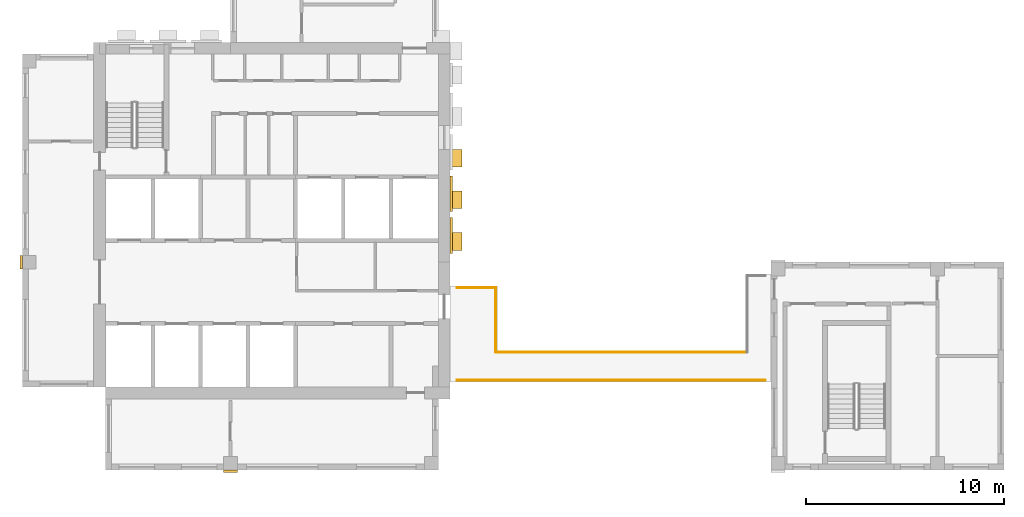
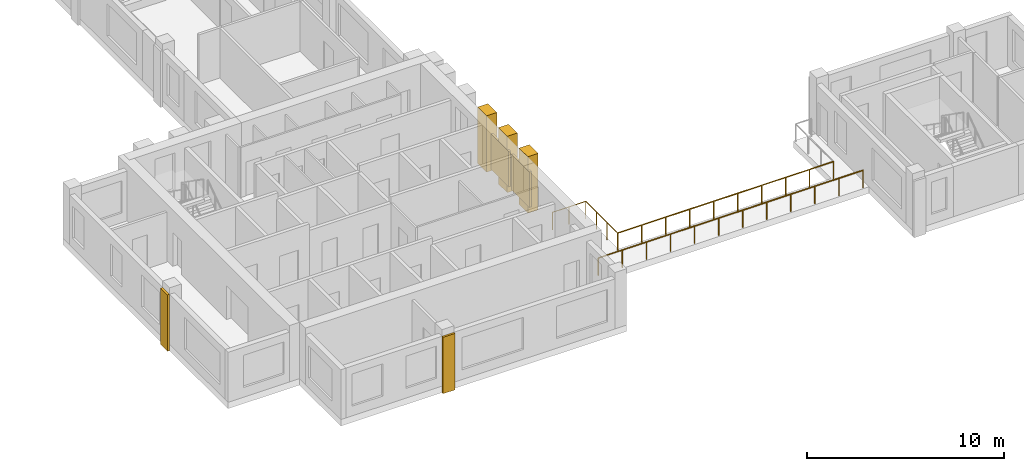
# One storey, part 6 of 9: 7 coverings, 4 railings.
"""IFC4 building model written with IfcOpenShell, lengths in metres."""

from ifc_helpers import new_model, si_unit, direction, frame, origin, origin_2d, place, context, subcontext, project, spatial, rectangle, circle, extrude, source, transform, mapped, material, type_object, element, save


model = new_model("IFC4")

# Units and contexts
model_context = context("Model", 3, precision=1e-05, world=origin(), true_north=direction((0.0, 1.0)))
body_context = subcontext(model_context, "Body", "Model", "MODEL_VIEW")
ifc_project = project(units=[si_unit("LENGTHUNIT", "METRE"), si_unit("AREAUNIT", "SQUARE_METRE"), si_unit("VOLUMEUNIT", "CUBIC_METRE"), si_unit("PLANEANGLEUNIT", "RADIAN"), si_unit("MASSUNIT", "GRAM", prefix="KILO")], contexts=[model_context])

# Site, building, storey
site_placement = place(None, origin())
site = spatial("IfcSite", under=ifc_project, at=site_placement, CompositionType="ELEMENT")
building_placement = place(site_placement, origin())
building = spatial("IfcBuilding", under=site, at=building_placement, Name="Aurelian Terraces", CompositionType="ELEMENT")
storey_placement = place(building_placement, frame((0.0, 0.0, 295.0)))
storey = spatial("IfcBuildingStorey", under=building, at=storey_placement, Name="L67", CompositionType="ELEMENT", Elevation=295.0)

# Railings
ifc_material_1 = material(Name="Anodised aluminium", Category="aluminium")
railing_type = type_object("IfcRailingType", Name="GUARD-1100", PredefinedType="GUARDRAIL", material=ifc_material_1)
railing_1_placement = place(storey_placement, frame((37.5, 4.54, 0.0)))
element("IfcRailing", 1, at=railing_1_placement, inside=storey, type_object=railing_type, Name="Terrace guard L67 BLADE-S-B67.1", PredefinedType="GUARDRAIL", context=body_context, shape_type="SweptSolid", body=[
    extrude(circle(Radius=0.024, at=origin_2d()), frame((0.0, 0.0, 1.076), z_axis=(-1.0, 0.0, 0.0), x_axis=(0.0, -1.0, 0.0)), (0.0, 0.0, 1.0), 15.55),
    extrude(circle(Radius=0.021, at=origin_2d()), origin(), (0.0, 0.0, 1.0), 1.052),
    extrude(circle(Radius=0.021, at=origin_2d()), frame((-1.4136, 0.0, 0.0)), (0.0, 0.0, 1.0), 1.052),
    extrude(circle(Radius=0.021, at=origin_2d()), frame((-2.8273, 0.0, 0.0)), (0.0, 0.0, 1.0), 1.052),
    extrude(circle(Radius=0.021, at=origin_2d()), frame((-4.2409, 0.0, 0.0)), (0.0, 0.0, 1.0), 1.052),
    extrude(circle(Radius=0.021, at=origin_2d()), frame((-5.6545, 0.0, 0.0)), (0.0, 0.0, 1.0), 1.052),
    extrude(circle(Radius=0.021, at=origin_2d()), frame((-7.0682, 0.0, 0.0)), (0.0, 0.0, 1.0), 1.052),
    extrude(circle(Radius=0.021, at=origin_2d()), frame((-8.4818, 0.0, 0.0)), (0.0, 0.0, 1.0), 1.052),
    extrude(circle(Radius=0.021, at=origin_2d()), frame((-9.8955, 0.0, 0.0)), (0.0, 0.0, 1.0), 1.052),
    extrude(circle(Radius=0.021, at=origin_2d()), frame((-11.3091, 0.0, 0.0)), (0.0, 0.0, 1.0), 1.052),
    extrude(circle(Radius=0.021, at=origin_2d()), frame((-12.7227, 0.0, 0.0)), (0.0, 0.0, 1.0), 1.052),
    extrude(circle(Radius=0.021, at=origin_2d()), frame((-14.1364, 0.0, 0.0)), (0.0, 0.0, 1.0), 1.052),
    extrude(circle(Radius=0.021, at=origin_2d()), frame((-15.55, 0.0, 0.0)), (0.0, 0.0, 1.0), 1.052),
])
railing_2_placement = place(storey_placement, frame((21.95, 9.21, 0.0)))
element("IfcRailing", 2, at=railing_2_placement, inside=storey, type_object=railing_type, Name="Terrace guard L67 BLADE-S-B67.2", PredefinedType="GUARDRAIL", context=body_context, shape_type="SweptSolid", body=[
    extrude(circle(Radius=0.024, at=origin_2d()), frame((0.0, 0.0, 1.076), z_axis=(1.0, 0.0, 0.0), x_axis=(0.0, 1.0, 0.0)), (0.0, 0.0, 1.0), 1.96),
    extrude(circle(Radius=0.021, at=origin_2d()), origin(), (0.0, 0.0, 1.0), 1.052),
    extrude(circle(Radius=0.021, at=origin_2d()), frame((0.98, 0.0, 0.0)), (0.0, 0.0, 1.0), 1.052),
    extrude(circle(Radius=0.021, at=origin_2d()), frame((1.96, 0.0, 0.0)), (0.0, 0.0, 1.0), 1.052),
])
railing_3_placement = place(storey_placement, frame((23.91, 9.21, 0.0)))
element("IfcRailing", 3, at=railing_3_placement, inside=storey, type_object=railing_type, Name="Terrace guard L67 BLADE-S-B67.3", PredefinedType="GUARDRAIL", context=body_context, shape_type="SweptSolid", body=[
    extrude(circle(Radius=0.024, at=origin_2d()), frame((0.0, 0.0, 1.076), z_axis=(0.0, -1.0, 0.0), x_axis=(1.0, 0.0, 0.0)), (0.0, 0.0, 1.0), 3.25),
    extrude(circle(Radius=0.021, at=origin_2d()), origin(), (0.0, 0.0, 1.0), 1.052),
    extrude(circle(Radius=0.021, at=origin_2d()), frame((0.0, -1.0833, 0.0)), (0.0, 0.0, 1.0), 1.052),
    extrude(circle(Radius=0.021, at=origin_2d()), frame((0.0, -2.1667, 0.0)), (0.0, 0.0, 1.0), 1.052),
    extrude(circle(Radius=0.021, at=origin_2d()), frame((0.0, -3.25, 0.0)), (0.0, 0.0, 1.0), 1.052),
])
railing_4_placement = place(storey_placement, frame((23.91, 5.96, 0.0)))
element("IfcRailing", 4, at=railing_4_placement, inside=storey, type_object=railing_type, Name="Terrace guard L67 BLADE-S-B67.4", PredefinedType="GUARDRAIL", context=body_context, shape_type="SweptSolid", body=[
    extrude(circle(Radius=0.024, at=origin_2d()), frame((0.0, 0.0, 1.076), z_axis=(1.0, 0.0, 0.0), x_axis=(0.0, 1.0, 0.0)), (0.0, 0.0, 1.0), 12.68),
    extrude(circle(Radius=0.021, at=origin_2d()), origin(), (0.0, 0.0, 1.0), 1.052),
    extrude(circle(Radius=0.021, at=origin_2d()), frame((1.4089, 0.0, 0.0)), (0.0, 0.0, 1.0), 1.052),
    extrude(circle(Radius=0.021, at=origin_2d()), frame((2.8178, 0.0, 0.0)), (0.0, 0.0, 1.0), 1.052),
    extrude(circle(Radius=0.021, at=origin_2d()), frame((4.2267, 0.0, 0.0)), (0.0, 0.0, 1.0), 1.052),
    extrude(circle(Radius=0.021, at=origin_2d()), frame((5.6356, 0.0, 0.0)), (0.0, 0.0, 1.0), 1.052),
    extrude(circle(Radius=0.021, at=origin_2d()), frame((7.0444, 0.0, 0.0)), (0.0, 0.0, 1.0), 1.052),
    extrude(circle(Radius=0.021, at=origin_2d()), frame((8.4533, 0.0, 0.0)), (0.0, 0.0, 1.0), 1.052),
    extrude(circle(Radius=0.021, at=origin_2d()), frame((9.8622, 0.0, 0.0)), (0.0, 0.0, 1.0), 1.052),
    extrude(circle(Radius=0.021, at=origin_2d()), frame((11.2711, 0.0, 0.0)), (0.0, 0.0, 1.0), 1.052),
    extrude(circle(Radius=0.021, at=origin_2d()), frame((12.68, 0.0, 0.0)), (0.0, 0.0, 1.0), 1.052),
])

# Coverings
ifc_material_2 = material(Name="Terracotta rainscreen cladding louvre blades", Category="masonry")
covering_type_1 = type_object("IfcCoveringType", Name="LOUVRE-TC", PredefinedType="CLADDING", material=ifc_material_2)
shared_shape_1 = source(origin(), body_context, "Body", "SweptSolid", [
    extrude(rectangle(XDim=0.12, YDim=1.8, at=origin_2d()), origin(), (0.0, 0.0, 1.0), 2.2),
])
for number, where, z_axis, x_axis, name in (
    (5, (21.66, 11.85, 0.45), (0.0, 0.0, 1.0), (1.0, 0.0, 0.0), "LOUVRE L67 core face E.1"),
    (6, (21.66, 13.95, 0.45), (0.0, 0.0, 1.0), (1.0, 0.0, 0.0), "LOUVRE L67 core face E.2"),
):
    element("IfcCovering", number, at=place(storey_placement, frame(where, z_axis=z_axis, x_axis=x_axis)), inside=storey, type_object=covering_type_1, Name=name, PredefinedType="CLADDING", context=body_context, shape_type="MappedRepresentation", body=[
        mapped(shared_shape_1, transform((0.0, 0.0, 0.0), scale=1.0)),
    ])
ifc_material_3 = material(Name="Terracotta rainscreen cladding relief", Category="masonry")
covering_type_2 = type_object("IfcCoveringType", Name="BAGUETTE-TC", PredefinedType="CLADDING", material=ifc_material_3)
shared_shape_2 = source(origin(), body_context, "Body", "SweptSolid", [
    extrude(rectangle(XDim=0.7, YDim=0.12, at=origin_2d()), origin(), (0.0, 0.0, 1.0), 3.5),
])
covering_1_placement = place(storey_placement, frame((10.5, -0.06, -0.4), z_axis=(0.0, 0.0, 1.0), x_axis=(1.0, 0.0, 0.0)))
element("IfcCovering", 7, at=covering_1_placement, inside=storey, type_object=covering_type_2, Name="BAGUETTE pier L67 1", PredefinedType="CLADDING", context=body_context, shape_type="MappedRepresentation", body=[
    mapped(shared_shape_2, transform((0.0, 0.0, 0.0), scale=1.0)),
])
shared_shape_3 = source(origin(), body_context, "Body", "SweptSolid", [
    extrude(rectangle(XDim=0.12, YDim=0.7, at=origin_2d()), origin(), (0.0, 0.0, 1.0), 3.5),
])
covering_2_placement = place(storey_placement, frame((-0.06, 10.5, -0.4), z_axis=(0.0, 0.0, 1.0), x_axis=(1.0, 0.0, 0.0)))
element("IfcCovering", 8, at=covering_2_placement, inside=storey, type_object=covering_type_2, Name="BAGUETTE pier L67 4", PredefinedType="CLADDING", context=body_context, shape_type="MappedRepresentation", body=[
    mapped(shared_shape_3, transform((0.0, 0.0, 0.0), scale=1.0)),
])
covering_type_3 = type_object("IfcCoveringType", Name="Core spine pier 900x600", PredefinedType="CLADDING", material=ifc_material_3)
shared_shape_4 = source(origin(), body_context, "Body", "SweptSolid", [
    extrude(rectangle(XDim=0.6, YDim=0.9, at=origin_2d()), origin(), (0.0, 0.0, 1.0), 3.5),
])
for number, where, z_axis, x_axis, name in (
    (9, (21.9, 11.55, 0.0), (0.0, 0.0, 1.0), (1.0, 0.0, 0.0), "Spine pier L67 E1"),
    (10, (21.9, 13.65, 0.0), (0.0, 0.0, 1.0), (1.0, 0.0, 0.0), "Spine pier L67 E2"),
    (11, (21.9, 15.75, 0.0), (0.0, 0.0, 1.0), (1.0, 0.0, 0.0), "Spine pier L67 E3"),
):
    element("IfcCovering", number, at=place(storey_placement, frame(where, z_axis=z_axis, x_axis=x_axis)), inside=storey, type_object=covering_type_3, Name=name, PredefinedType="CLADDING", context=body_context, shape_type="MappedRepresentation", body=[
        mapped(shared_shape_4, transform((0.0, 0.0, 0.0), scale=1.0)),
    ])

save(model, "model.ifc")
